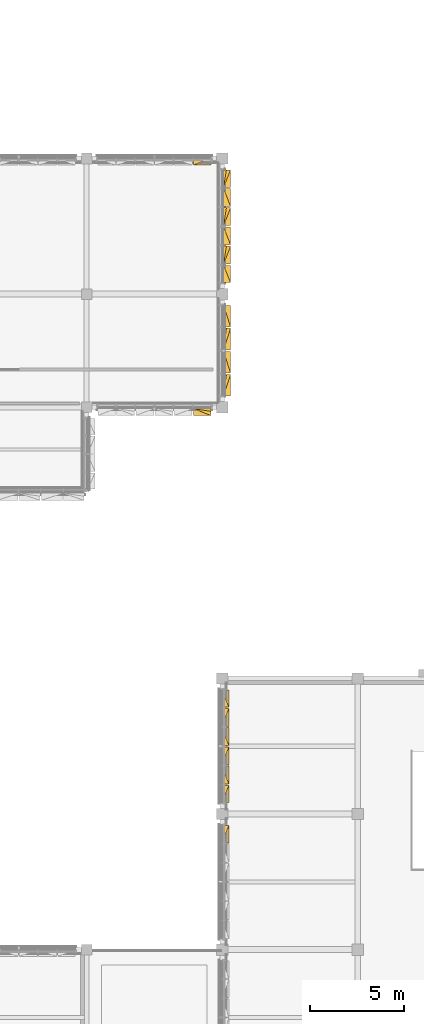
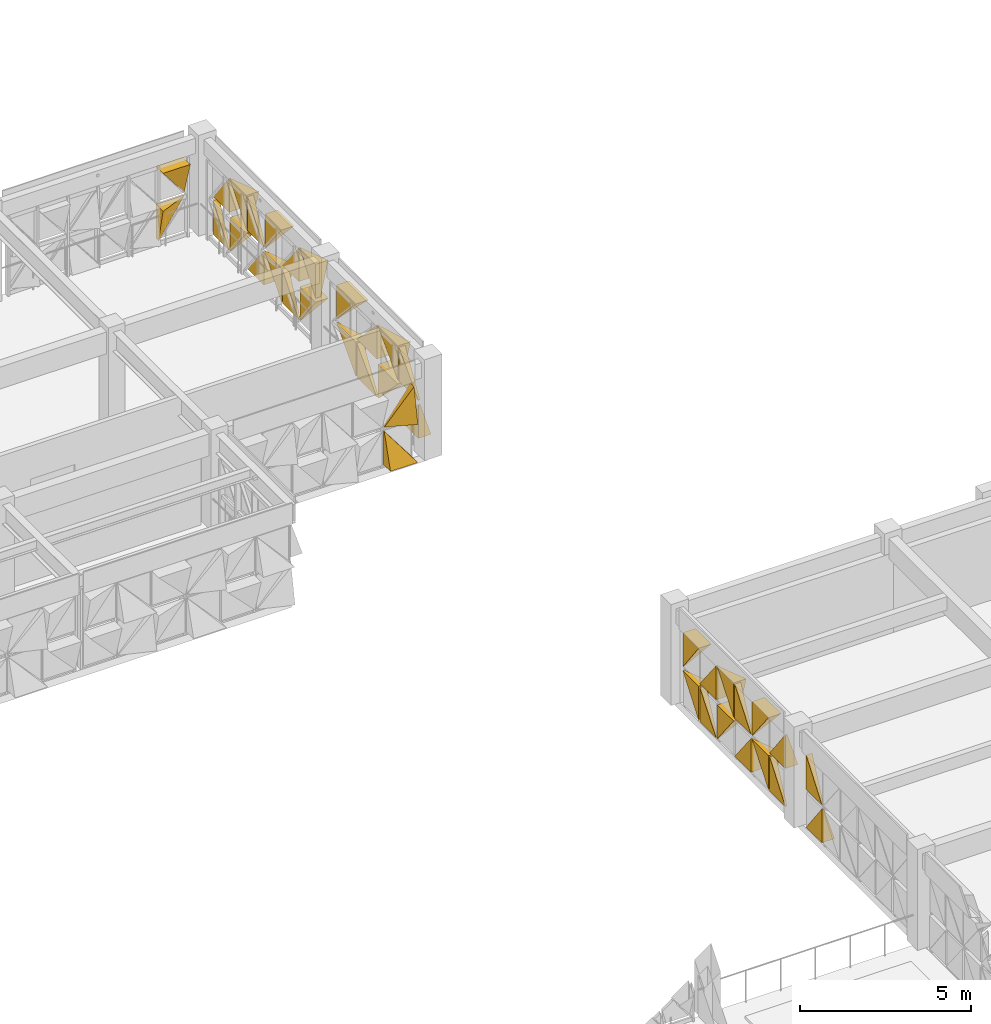
# One storey, part 85 of 85: 38 coverings.
"""IFC4 building model written with IfcOpenShell, lengths in metres."""

from ifc_helpers import new_model, si_unit, direction, frame, origin, place, context, subcontext, project, spatial, polygons, material, layer, layer_set, type_object, element, save


model = new_model("IFC4")

# Units and contexts
model_context = context("Model", 3, precision=1e-05, world=origin(), true_north=direction((0.0, 1.0)))
body_context = subcontext(model_context, "Body", "Model", "MODEL_VIEW")
ifc_project = project(units=[si_unit("LENGTHUNIT", "METRE"), si_unit("AREAUNIT", "SQUARE_METRE"), si_unit("VOLUMEUNIT", "CUBIC_METRE"), si_unit("PLANEANGLEUNIT", "RADIAN"), si_unit("MASSUNIT", "GRAM", prefix="KILO")], contexts=[model_context])

# Site, building, storey
site_placement = place(None, origin())
site = spatial("IfcSite", under=ifc_project, at=site_placement, CompositionType="ELEMENT")
building_placement = place(site_placement, origin())
building = spatial("IfcBuilding", under=site, at=building_placement, Name="Alvorim Cloister Faculty of Sciences", CompositionType="ELEMENT")
storey_placement = place(building_placement, frame((0.0, 0.0, 8.550048828125)))
storey = spatial("IfcBuildingStorey", under=building, at=storey_placement, Name="L02", CompositionType="ELEMENT", Elevation=8.550048828125)

# Coverings
ifc_material = material(Name="Perforated Bronze Alloy Sheet", Category="metal")
ifc_layer = layer(ifc_material, 0.0380859375)
ifc_layer_set = layer_set([ifc_layer], Name="Perforated Bronze Alloy Sheet")
covering_type = type_object("IfcCoveringType", Name="COV-TRI-BRZ", PredefinedType="CLADDING", material=ifc_layer_set)
covering_1_placement = place(storey_placement, frame((63.2724609375, 56.445068359375, 0.139892578125), z_axis=(0.0, 0.0, 1.0), x_axis=(1.0, 0.0, 0.0)))
element("IfcCovering", 1, at=covering_1_placement, inside=storey, type_object=covering_type, Name="Diagonal Solid Metal Triangle TRI-TL", PredefinedType="CLADDING", context=body_context, shape_type="Tessellation", body=[
    polygons([(0.920607421875, 0.0260009765625, 1.215087890625), (0.0, 0.0260009765625, 1.215087890625), (0.0, 0.0260009765625, 0.002), (0.920607421875, -0.03, 1.215087890625), (0.0, -0.4, 1.215087890625), (0.0, -0.13999999999999999, 0.002)], [[[1, 3, 2]], [[4, 5, 6]], [[1, 2, 5, 4]], [[2, 3, 6, 5]], [[3, 1, 4, 6]]], closed=True),
])
for number, where, z_axis, x_axis, name in (
    (2, (63.2724609375, 56.445068359375, 1.494873046875), (0.0, 0.0, 1.0), (1.0, 0.0, 0.0), "Diagonal Solid Metal Triangle TRI-TR"),
    (3, (64.844970703125, 49.804931640625, 0.139892578125), (0.0, 0.0, 1.0), (0.0, 1.0, 0.0), "Diagonal Solid Metal Triangle TRI-TR"),
):
    element("IfcCovering", number, at=place(storey_placement, frame(where, z_axis=z_axis, x_axis=x_axis)), inside=storey, type_object=covering_type, Name=name, PredefinedType="CLADDING", context=body_context, shape_type="Tessellation", body=[
        polygons([(0.922607421875, 0.0260009765625, 0.002), (0.922607421875, 0.0260009765625, 1.215087890625), (0.002, 0.0260009765625, 1.215087890625), (0.922607421875, -0.03, 0.002), (0.922607421875, -0.4, 1.215087890625), (0.002, -0.4, 1.215087890625)], [[[1, 3, 2]], [[4, 5, 6]], [[1, 2, 5, 4]], [[2, 3, 6, 5]], [[3, 1, 4, 6]]], closed=True),
    ])
covering_2_placement = place(storey_placement, frame((64.844970703125, 49.804931640625, 1.494873046875), z_axis=(0.0, 0.0, 1.0), x_axis=(0.0, 1.0, 0.0)))
element("IfcCovering", 4, at=covering_2_placement, inside=storey, type_object=covering_type, Name="Diagonal Solid Metal Triangle TRI-TL", PredefinedType="CLADDING", context=body_context, shape_type="Tessellation", body=[
    polygons([(0.920607421875, 0.0260009765625, 1.215087890625), (0.0, 0.0260009765625, 1.215087890625), (0.0, 0.0260009765625, 0.002), (0.920607421875, -0.03, 1.215087890625), (0.0, -0.4, 1.215087890625), (0.0, -0.13999999999999999, 0.002)], [[[1, 3, 2]], [[4, 5, 6]], [[1, 2, 5, 4]], [[2, 3, 6, 5]], [[3, 1, 4, 6]]], closed=True),
])
covering_3_placement = place(storey_placement, frame((64.844970703125, 50.79248046875, 0.139892578125), z_axis=(0.0, 0.0, 1.0), x_axis=(0.0, 1.0, 0.0)))
element("IfcCovering", 5, at=covering_3_placement, inside=storey, type_object=covering_type, Name="Diagonal Solid Metal Triangle TRI-BR", PredefinedType="CLADDING", context=body_context, shape_type="Tessellation", body=[
    polygons([(0.002, 0.0260009765625, 0.0), (0.955078125, 0.0260009765625, 0.0), (0.955078125, 0.0260009765625, 1.213087890625), (0.002, -0.03, 0.0), (0.955078125, -0.4, 0.0), (0.955078125, -0.18000000000000002, 1.213087890625)], [[[1, 3, 2]], [[4, 5, 6]], [[1, 2, 5, 4]], [[2, 3, 6, 5]], [[3, 1, 4, 6]]], closed=True),
])
covering_4_placement = place(storey_placement, frame((64.844970703125, 50.79248046875, 1.494873046875), z_axis=(0.0, 0.0, 1.0), x_axis=(0.0, 1.0, 0.0)))
element("IfcCovering", 6, at=covering_4_placement, inside=storey, type_object=covering_type, Name="Diagonal Solid Metal Triangle TRI-BL", PredefinedType="CLADDING", context=body_context, shape_type="Tessellation", body=[
    polygons([(0.0, 0.0260009765625, 0.0), (0.953078125, 0.0260009765625, 0.0), (0.0, 0.0260009765625, 1.213087890625), (0.0, -0.4, 0.0), (0.953078125, -0.4, 0.0), (0.0, -0.03, 1.213087890625)], [[[1, 3, 2]], [[4, 5, 6]], [[1, 2, 5, 4]], [[2, 3, 6, 5]], [[3, 1, 4, 6]]], closed=True),
])
covering_5_placement = place(storey_placement, frame((64.844970703125, 51.8125, 0.139892578125), z_axis=(0.0, 0.0, 1.0), x_axis=(0.0, 1.0, 0.0)))
element("IfcCovering", 7, at=covering_5_placement, inside=storey, type_object=covering_type, Name="Diagonal Solid Metal Triangle TRI-TL", PredefinedType="CLADDING", context=body_context, shape_type="Tessellation", body=[
    polygons([(0.953078125, 0.0260009765625, 1.215087890625), (0.0, 0.0260009765625, 1.215087890625), (0.0, 0.0260009765625, 0.002), (0.953078125, -0.03, 1.215087890625), (0.0, -0.4, 1.215087890625), (0.0, -0.13999999999999999, 0.002)], [[[1, 3, 2]], [[4, 5, 6]], [[1, 2, 5, 4]], [[2, 3, 6, 5]], [[3, 1, 4, 6]]], closed=True),
])
covering_6_placement = place(storey_placement, frame((64.844970703125, 51.8125, 1.494873046875), z_axis=(0.0, 0.0, 1.0), x_axis=(0.0, 1.0, 0.0)))
element("IfcCovering", 8, at=covering_6_placement, inside=storey, type_object=covering_type, Name="Diagonal Solid Metal Triangle TRI-TR", PredefinedType="CLADDING", context=body_context, shape_type="Tessellation", body=[
    polygons([(0.955078125, 0.0260009765625, 0.002), (0.955078125, 0.0260009765625, 1.215087890625), (0.002, 0.0260009765625, 1.215087890625), (0.955078125, -0.03, 0.002), (0.955078125, -0.4, 1.215087890625), (0.002, -0.4, 1.215087890625)], [[[1, 3, 2]], [[4, 5, 6]], [[1, 2, 5, 4]], [[2, 3, 6, 5]], [[3, 1, 4, 6]]], closed=True),
])
covering_7_placement = place(storey_placement, frame((64.844970703125, 52.83251953125, 0.139892578125), z_axis=(0.0, 0.0, 1.0), x_axis=(0.0, 1.0, 0.0)))
element("IfcCovering", 9, at=covering_7_placement, inside=storey, type_object=covering_type, Name="Diagonal Solid Metal Triangle TRI-BL", PredefinedType="CLADDING", context=body_context, shape_type="Tessellation", body=[
    polygons([(0.0, 0.0260009765625, 0.0), (0.953078125, 0.0260009765625, 0.0), (0.0, 0.0260009765625, 1.213087890625), (0.0, -0.4, 0.0), (0.953078125, -0.4, 0.0), (0.0, -0.03, 1.213087890625)], [[[1, 3, 2]], [[4, 5, 6]], [[1, 2, 5, 4]], [[2, 3, 6, 5]], [[3, 1, 4, 6]]], closed=True),
])
covering_8_placement = place(storey_placement, frame((64.844970703125, 52.83251953125, 1.494873046875), z_axis=(0.0, 0.0, 1.0), x_axis=(0.0, 1.0, 0.0)))
element("IfcCovering", 10, at=covering_8_placement, inside=storey, type_object=covering_type, Name="Diagonal Solid Metal Triangle TRI-BR", PredefinedType="CLADDING", context=body_context, shape_type="Tessellation", body=[
    polygons([(0.002, 0.0260009765625, 0.0), (0.955078125, 0.0260009765625, 0.0), (0.955078125, 0.0260009765625, 1.213087890625), (0.002, -0.03, 0.0), (0.955078125, -0.4, 0.0), (0.955078125, -0.18000000000000002, 1.213087890625)], [[[1, 3, 2]], [[4, 5, 6]], [[1, 2, 5, 4]], [[2, 3, 6, 5]], [[3, 1, 4, 6]]], closed=True),
])
covering_9_placement = place(storey_placement, frame((64.844970703125, 53.8525390625, 0.139892578125), z_axis=(0.0, 0.0, 1.0), x_axis=(0.0, 1.0, 0.0)))
element("IfcCovering", 11, at=covering_9_placement, inside=storey, type_object=covering_type, Name="Diagonal Solid Metal Triangle TRI-TR", PredefinedType="CLADDING", context=body_context, shape_type="Tessellation", body=[
    polygons([(0.955078125, 0.0260009765625, 0.002), (0.955078125, 0.0260009765625, 1.215087890625), (0.002, 0.0260009765625, 1.215087890625), (0.955078125, -0.03, 0.002), (0.955078125, -0.4, 1.215087890625), (0.002, -0.4, 1.215087890625)], [[[1, 3, 2]], [[4, 5, 6]], [[1, 2, 5, 4]], [[2, 3, 6, 5]], [[3, 1, 4, 6]]], closed=True),
])
covering_10_placement = place(storey_placement, frame((64.844970703125, 53.8525390625, 1.494873046875), z_axis=(0.0, 0.0, 1.0), x_axis=(0.0, 1.0, 0.0)))
element("IfcCovering", 12, at=covering_10_placement, inside=storey, type_object=covering_type, Name="Diagonal Solid Metal Triangle TRI-TL", PredefinedType="CLADDING", context=body_context, shape_type="Tessellation", body=[
    polygons([(0.953078125, 0.0260009765625, 1.215087890625), (0.0, 0.0260009765625, 1.215087890625), (0.0, 0.0260009765625, 0.002), (0.953078125, -0.03, 1.215087890625), (0.0, -0.4, 1.215087890625), (0.0, -0.13999999999999999, 0.002)], [[[1, 3, 2]], [[4, 5, 6]], [[1, 2, 5, 4]], [[2, 3, 6, 5]], [[3, 1, 4, 6]]], closed=True),
])
covering_11_placement = place(storey_placement, frame((64.844970703125, 54.87255859375, 0.139892578125), z_axis=(0.0, 0.0, 1.0), x_axis=(0.0, 1.0, 0.0)))
element("IfcCovering", 13, at=covering_11_placement, inside=storey, type_object=covering_type, Name="Diagonal Solid Metal Triangle TRI-BR", PredefinedType="CLADDING", context=body_context, shape_type="Tessellation", body=[
    polygons([(0.002, 0.0260009765625, 0.0), (0.922607421875, 0.0260009765625, 0.0), (0.922607421875, 0.0260009765625, 1.213087890625), (0.002, -0.03, 0.0), (0.922607421875, -0.4, 0.0), (0.922607421875, -0.18000000000000002, 1.213087890625)], [[[1, 3, 2]], [[4, 5, 6]], [[1, 2, 5, 4]], [[2, 3, 6, 5]], [[3, 1, 4, 6]]], closed=True),
])
covering_12_placement = place(storey_placement, frame((64.844970703125, 54.87255859375, 1.494873046875), z_axis=(0.0, 0.0, 1.0), x_axis=(0.0, 1.0, 0.0)))
element("IfcCovering", 14, at=covering_12_placement, inside=storey, type_object=covering_type, Name="Diagonal Solid Metal Triangle TRI-BL", PredefinedType="CLADDING", context=body_context, shape_type="Tessellation", body=[
    polygons([(0.0, 0.0260009765625, 0.0), (0.920607421875, 0.0260009765625, 0.0), (0.0, 0.0260009765625, 1.213087890625), (0.0, -0.4, 0.0), (0.920607421875, -0.4, 0.0), (0.0, -0.03, 1.213087890625)], [[[1, 3, 2]], [[4, 5, 6]], [[1, 2, 5, 4]], [[2, 3, 6, 5]], [[3, 1, 4, 6]]], closed=True),
])
covering_13_placement = place(storey_placement, frame((64.844970703125, 43.804931640625, 0.139892578125), z_axis=(0.0, 0.0, 1.0), x_axis=(0.0, 1.0, 0.0)))
element("IfcCovering", 15, at=covering_13_placement, inside=storey, type_object=covering_type, Name="Diagonal Solid Metal Triangle TRI-BL", PredefinedType="CLADDING", context=body_context, shape_type="Tessellation", body=[
    polygons([(0.0, 0.0260009765625, 0.0), (1.130568359375, 0.0260009765625, 0.0), (0.0, 0.0260009765625, 1.213087890625), (0.0, -0.4, 0.0), (1.130568359375, -0.4, 0.0), (0.0, -0.03, 1.213087890625)], [[[1, 3, 2]], [[4, 5, 6]], [[1, 2, 5, 4]], [[2, 3, 6, 5]], [[3, 1, 4, 6]]], closed=True),
])
covering_14_placement = place(storey_placement, frame((64.844970703125, 43.804931640625, 1.494873046875), z_axis=(0.0, 0.0, 1.0), x_axis=(0.0, 1.0, 0.0)))
element("IfcCovering", 16, at=covering_14_placement, inside=storey, type_object=covering_type, Name="Diagonal Solid Metal Triangle TRI-BR", PredefinedType="CLADDING", context=body_context, shape_type="Tessellation", body=[
    polygons([(0.002, 0.0260009765625, 0.0), (1.132568359375, 0.0260009765625, 0.0), (1.132568359375, 0.0260009765625, 1.213087890625), (0.002, -0.03, 0.0), (1.132568359375, -0.4, 0.0), (1.132568359375, -0.18000000000000002, 1.213087890625)], [[[1, 3, 2]], [[4, 5, 6]], [[1, 2, 5, 4]], [[2, 3, 6, 5]], [[3, 1, 4, 6]]], closed=True),
])
covering_15_placement = place(storey_placement, frame((64.844970703125, 45.00244140625, 0.139892578125), z_axis=(0.0, 0.0, 1.0), x_axis=(0.0, 1.0, 0.0)))
element("IfcCovering", 17, at=covering_15_placement, inside=storey, type_object=covering_type, Name="Diagonal Solid Metal Triangle TRI-TR", PredefinedType="CLADDING", context=body_context, shape_type="Tessellation", body=[
    polygons([(1.1650390625, 0.0260009765625, 0.002), (1.1650390625, 0.0260009765625, 1.215087890625), (0.002, 0.0260009765625, 1.215087890625), (1.1650390625, -0.03, 0.002), (1.1650390625, -0.4, 1.215087890625), (0.002, -0.4, 1.215087890625)], [[[1, 3, 2]], [[4, 5, 6]], [[1, 2, 5, 4]], [[2, 3, 6, 5]], [[3, 1, 4, 6]]], closed=True),
])
covering_16_placement = place(storey_placement, frame((64.844970703125, 45.00244140625, 1.494873046875), z_axis=(0.0, 0.0, 1.0), x_axis=(0.0, 1.0, 0.0)))
element("IfcCovering", 18, at=covering_16_placement, inside=storey, type_object=covering_type, Name="Diagonal Solid Metal Triangle TRI-TL", PredefinedType="CLADDING", context=body_context, shape_type="Tessellation", body=[
    polygons([(1.1630390625, 0.0260009765625, 1.215087890625), (0.0, 0.0260009765625, 1.215087890625), (0.0, 0.0260009765625, 0.002), (1.1630390625, -0.03, 1.215087890625), (0.0, -0.4, 1.215087890625), (0.0, -0.13999999999999999, 0.002)], [[[1, 3, 2]], [[4, 5, 6]], [[1, 2, 5, 4]], [[2, 3, 6, 5]], [[3, 1, 4, 6]]], closed=True),
])
covering_17_placement = place(storey_placement, frame((64.844970703125, 46.232421875, 0.139892578125), z_axis=(0.0, 0.0, 1.0), x_axis=(0.0, 1.0, 0.0)))
element("IfcCovering", 19, at=covering_17_placement, inside=storey, type_object=covering_type, Name="Diagonal Solid Metal Triangle TRI-BR", PredefinedType="CLADDING", context=body_context, shape_type="Tessellation", body=[
    polygons([(0.002, 0.0260009765625, 0.0), (1.1650390625, 0.0260009765625, 0.0), (1.1650390625, 0.0260009765625, 1.213087890625), (0.002, -0.03, 0.0), (1.1650390625, -0.4, 0.0), (1.1650390625, -0.18000000000000002, 1.213087890625)], [[[1, 3, 2]], [[4, 5, 6]], [[1, 2, 5, 4]], [[2, 3, 6, 5]], [[3, 1, 4, 6]]], closed=True),
])
covering_18_placement = place(storey_placement, frame((64.844970703125, 46.232421875, 1.494873046875), z_axis=(0.0, 0.0, 1.0), x_axis=(0.0, 1.0, 0.0)))
element("IfcCovering", 20, at=covering_18_placement, inside=storey, type_object=covering_type, Name="Diagonal Solid Metal Triangle TRI-BL", PredefinedType="CLADDING", context=body_context, shape_type="Tessellation", body=[
    polygons([(0.0, 0.0260009765625, 0.0), (1.1630390625, 0.0260009765625, 0.0), (0.0, 0.0260009765625, 1.213087890625), (0.0, -0.4, 0.0), (1.1630390625, -0.4, 0.0), (0.0, -0.03, 1.213087890625)], [[[1, 3, 2]], [[4, 5, 6]], [[1, 2, 5, 4]], [[2, 3, 6, 5]], [[3, 1, 4, 6]]], closed=True),
])
covering_19_placement = place(storey_placement, frame((64.844970703125, 47.46240234375, 0.139892578125), z_axis=(0.0, 0.0, 1.0), x_axis=(0.0, 1.0, 0.0)))
element("IfcCovering", 21, at=covering_19_placement, inside=storey, type_object=covering_type, Name="Diagonal Solid Metal Triangle TRI-TL", PredefinedType="CLADDING", context=body_context, shape_type="Tessellation", body=[
    polygons([(1.130568359375, 0.0260009765625, 1.215087890625), (0.0, 0.0260009765625, 1.215087890625), (0.0, 0.0260009765625, 0.002), (1.130568359375, -0.03, 1.215087890625), (0.0, -0.4, 1.215087890625), (0.0, -0.13999999999999999, 0.002)], [[[1, 3, 2]], [[4, 5, 6]], [[1, 2, 5, 4]], [[2, 3, 6, 5]], [[3, 1, 4, 6]]], closed=True),
])
covering_20_placement = place(storey_placement, frame((64.844970703125, 47.46240234375, 1.494873046875), z_axis=(0.0, 0.0, 1.0), x_axis=(0.0, 1.0, 0.0)))
element("IfcCovering", 22, at=covering_20_placement, inside=storey, type_object=covering_type, Name="Diagonal Solid Metal Triangle TRI-TR", PredefinedType="CLADDING", context=body_context, shape_type="Tessellation", body=[
    polygons([(1.132568359375, 0.0260009765625, 0.002), (1.132568359375, 0.0260009765625, 1.215087890625), (0.002, 0.0260009765625, 1.215087890625), (1.132568359375, -0.03, 0.002), (1.132568359375, -0.4, 1.215087890625), (0.002, -0.4, 1.215087890625)], [[[1, 3, 2]], [[4, 5, 6]], [[1, 2, 5, 4]], [[2, 3, 6, 5]], [[3, 1, 4, 6]]], closed=True),
])
covering_21_placement = place(storey_placement, frame((63.2724609375, 43.155029296875, 0.139892578125), z_axis=(0.0, 0.0, 1.0), x_axis=(1.0, 0.0, 0.0)))
element("IfcCovering", 23, at=covering_21_placement, inside=storey, type_object=covering_type, Name="Diagonal Solid Metal Triangle TRI-BL", PredefinedType="CLADDING", context=body_context, shape_type="Tessellation", body=[
    polygons([(0.0, 0.0260009765625, 0.0), (0.920607421875, 0.0260009765625, 0.0), (0.0, 0.0260009765625, 1.213087890625), (0.0, -0.4, 0.0), (0.920607421875, -0.4, 0.0), (0.0, -0.03, 1.213087890625)], [[[1, 3, 2]], [[4, 5, 6]], [[1, 2, 5, 4]], [[2, 3, 6, 5]], [[3, 1, 4, 6]]], closed=True),
])
covering_22_placement = place(storey_placement, frame((63.2724609375, 43.155029296875, 1.494873046875), z_axis=(0.0, 0.0, 1.0), x_axis=(1.0, 0.0, 0.0)))
element("IfcCovering", 24, at=covering_22_placement, inside=storey, type_object=covering_type, Name="Diagonal Solid Metal Triangle TRI-BR", PredefinedType="CLADDING", context=body_context, shape_type="Tessellation", body=[
    polygons([(0.002, 0.0260009765625, 0.0), (0.922607421875, 0.0260009765625, 0.0), (0.922607421875, 0.0260009765625, 1.213087890625), (0.002, -0.03, 0.0), (0.922607421875, -0.4, 0.0), (0.922607421875, -0.18000000000000002, 1.213087890625)], [[[1, 3, 2]], [[4, 5, 6]], [[1, 2, 5, 4]], [[2, 3, 6, 5]], [[3, 1, 4, 6]]], closed=True),
])
covering_23_placement = place(storey_placement, frame((64.7548828125, 20.072509765625, 0.139892578125), z_axis=(0.0, 0.0, 1.0), x_axis=(0.0, 1.0, 0.0)))
element("IfcCovering", 25, at=covering_23_placement, inside=storey, type_object=covering_type, Name="Diagonal Solid Metal Triangle TRI-BL", PredefinedType="CLADDING", context=body_context, shape_type="Tessellation", body=[
    polygons([(0.0, 0.0260009765625, 0.0), (0.920607421875, 0.0260009765625, 0.0), (0.0, 0.0260009765625, 1.213087890625), (0.0, -0.4, 0.0), (0.920607421875, -0.4, 0.0), (0.0, -0.03, 1.213087890625)], [[[1, 3, 2]], [[4, 5, 6]], [[1, 2, 5, 4]], [[2, 3, 6, 5]], [[3, 1, 4, 6]]], closed=True),
])
for number, where, z_axis, x_axis, name in (
    (26, (64.7548828125, 20.072509765625, 1.494873046875), (0.0, 0.0, 1.0), (0.0, 1.0, 0.0), "Diagonal Solid Metal Triangle TRI-BR"),
    (27, (64.7548828125, 22.205078125, 0.139892578125), (0.0, 0.0, 1.0), (0.0, 1.0, 0.0), "Diagonal Solid Metal Triangle TRI-BR"),
):
    element("IfcCovering", number, at=place(storey_placement, frame(where, z_axis=z_axis, x_axis=x_axis)), inside=storey, type_object=covering_type, Name=name, PredefinedType="CLADDING", context=body_context, shape_type="Tessellation", body=[
        polygons([(0.002, 0.0260009765625, 0.0), (0.922607421875, 0.0260009765625, 0.0), (0.922607421875, 0.0260009765625, 1.213087890625), (0.002, -0.03, 0.0), (0.922607421875, -0.4, 0.0), (0.922607421875, -0.18000000000000002, 1.213087890625)], [[[1, 3, 2]], [[4, 5, 6]], [[1, 2, 5, 4]], [[2, 3, 6, 5]], [[3, 1, 4, 6]]], closed=True),
    ])
covering_24_placement = place(storey_placement, frame((64.7548828125, 22.205078125, 1.494873046875), z_axis=(0.0, 0.0, 1.0), x_axis=(0.0, 1.0, 0.0)))
element("IfcCovering", 28, at=covering_24_placement, inside=storey, type_object=covering_type, Name="Diagonal Solid Metal Triangle TRI-BL", PredefinedType="CLADDING", context=body_context, shape_type="Tessellation", body=[
    polygons([(0.0, 0.0260009765625, 0.0), (0.920607421875, 0.0260009765625, 0.0), (0.0, 0.0260009765625, 1.213087890625), (0.0, -0.4, 0.0), (0.920607421875, -0.4, 0.0), (0.0, -0.03, 1.213087890625)], [[[1, 3, 2]], [[4, 5, 6]], [[1, 2, 5, 4]], [[2, 3, 6, 5]], [[3, 1, 4, 6]]], closed=True),
])
covering_25_placement = place(storey_placement, frame((64.7548828125, 23.1923828125, 0.139892578125), z_axis=(0.0, 0.0, 1.0), x_axis=(0.0, 1.0, 0.0)))
element("IfcCovering", 29, at=covering_25_placement, inside=storey, type_object=covering_type, Name="Diagonal Solid Metal Triangle TRI-TL", PredefinedType="CLADDING", context=body_context, shape_type="Tessellation", body=[
    polygons([(0.953078125, 0.0260009765625, 1.215087890625), (0.0, 0.0260009765625, 1.215087890625), (0.0, 0.0260009765625, 0.002), (0.953078125, -0.03, 1.215087890625), (0.0, -0.4, 1.215087890625), (0.0, -0.13999999999999999, 0.002)], [[[1, 3, 2]], [[4, 5, 6]], [[1, 2, 5, 4]], [[2, 3, 6, 5]], [[3, 1, 4, 6]]], closed=True),
])
covering_26_placement = place(storey_placement, frame((64.7548828125, 23.1923828125, 1.494873046875), z_axis=(0.0, 0.0, 1.0), x_axis=(0.0, 1.0, 0.0)))
element("IfcCovering", 30, at=covering_26_placement, inside=storey, type_object=covering_type, Name="Diagonal Solid Metal Triangle TRI-TR", PredefinedType="CLADDING", context=body_context, shape_type="Tessellation", body=[
    polygons([(0.955078125, 0.0260009765625, 0.002), (0.955078125, 0.0260009765625, 1.215087890625), (0.002, 0.0260009765625, 1.215087890625), (0.955078125, -0.03, 0.002), (0.955078125, -0.4, 1.215087890625), (0.002, -0.4, 1.215087890625)], [[[1, 3, 2]], [[4, 5, 6]], [[1, 2, 5, 4]], [[2, 3, 6, 5]], [[3, 1, 4, 6]]], closed=True),
])
covering_27_placement = place(storey_placement, frame((64.7548828125, 24.21240234375, 0.139892578125), z_axis=(0.0, 0.0, 1.0), x_axis=(0.0, 1.0, 0.0)))
element("IfcCovering", 31, at=covering_27_placement, inside=storey, type_object=covering_type, Name="Diagonal Solid Metal Triangle TRI-BL", PredefinedType="CLADDING", context=body_context, shape_type="Tessellation", body=[
    polygons([(0.0, 0.0260009765625, 0.0), (0.953078125, 0.0260009765625, 0.0), (0.0, 0.0260009765625, 1.213087890625), (0.0, -0.4, 0.0), (0.953078125, -0.4, 0.0), (0.0, -0.03, 1.213087890625)], [[[1, 3, 2]], [[4, 5, 6]], [[1, 2, 5, 4]], [[2, 3, 6, 5]], [[3, 1, 4, 6]]], closed=True),
])
covering_28_placement = place(storey_placement, frame((64.7548828125, 24.21240234375, 1.494873046875), z_axis=(0.0, 0.0, 1.0), x_axis=(0.0, 1.0, 0.0)))
element("IfcCovering", 32, at=covering_28_placement, inside=storey, type_object=covering_type, Name="Diagonal Solid Metal Triangle TRI-BR", PredefinedType="CLADDING", context=body_context, shape_type="Tessellation", body=[
    polygons([(0.002, 0.0260009765625, 0.0), (0.955078125, 0.0260009765625, 0.0), (0.955078125, 0.0260009765625, 1.213087890625), (0.002, -0.03, 0.0), (0.955078125, -0.4, 0.0), (0.955078125, -0.18000000000000002, 1.213087890625)], [[[1, 3, 2]], [[4, 5, 6]], [[1, 2, 5, 4]], [[2, 3, 6, 5]], [[3, 1, 4, 6]]], closed=True),
])
covering_29_placement = place(storey_placement, frame((64.7548828125, 25.232421875, 0.139892578125), z_axis=(0.0, 0.0, 1.0), x_axis=(0.0, 1.0, 0.0)))
element("IfcCovering", 33, at=covering_29_placement, inside=storey, type_object=covering_type, Name="Diagonal Solid Metal Triangle TRI-TR", PredefinedType="CLADDING", context=body_context, shape_type="Tessellation", body=[
    polygons([(0.955078125, 0.0260009765625, 0.002), (0.955078125, 0.0260009765625, 1.215087890625), (0.002, 0.0260009765625, 1.215087890625), (0.955078125, -0.03, 0.002), (0.955078125, -0.4, 1.215087890625), (0.002, -0.4, 1.215087890625)], [[[1, 3, 2]], [[4, 5, 6]], [[1, 2, 5, 4]], [[2, 3, 6, 5]], [[3, 1, 4, 6]]], closed=True),
])
covering_30_placement = place(storey_placement, frame((64.7548828125, 25.232421875, 1.494873046875), z_axis=(0.0, 0.0, 1.0), x_axis=(0.0, 1.0, 0.0)))
element("IfcCovering", 34, at=covering_30_placement, inside=storey, type_object=covering_type, Name="Diagonal Solid Metal Triangle TRI-TL", PredefinedType="CLADDING", context=body_context, shape_type="Tessellation", body=[
    polygons([(0.953078125, 0.0260009765625, 1.215087890625), (0.0, 0.0260009765625, 1.215087890625), (0.0, 0.0260009765625, 0.002), (0.953078125, -0.03, 1.215087890625), (0.0, -0.4, 1.215087890625), (0.0, -0.13999999999999999, 0.002)], [[[1, 3, 2]], [[4, 5, 6]], [[1, 2, 5, 4]], [[2, 3, 6, 5]], [[3, 1, 4, 6]]], closed=True),
])
covering_31_placement = place(storey_placement, frame((64.7548828125, 26.25244140625, 0.139892578125), z_axis=(0.0, 0.0, 1.0), x_axis=(0.0, 1.0, 0.0)))
element("IfcCovering", 35, at=covering_31_placement, inside=storey, type_object=covering_type, Name="Diagonal Solid Metal Triangle TRI-BR", PredefinedType="CLADDING", context=body_context, shape_type="Tessellation", body=[
    polygons([(0.002, 0.0260009765625, 0.0), (0.955078125, 0.0260009765625, 0.0), (0.955078125, 0.0260009765625, 1.213087890625), (0.002, -0.03, 0.0), (0.955078125, -0.4, 0.0), (0.955078125, -0.18000000000000002, 1.213087890625)], [[[1, 3, 2]], [[4, 5, 6]], [[1, 2, 5, 4]], [[2, 3, 6, 5]], [[3, 1, 4, 6]]], closed=True),
])
covering_32_placement = place(storey_placement, frame((64.7548828125, 26.25244140625, 1.494873046875), z_axis=(0.0, 0.0, 1.0), x_axis=(0.0, 1.0, 0.0)))
element("IfcCovering", 36, at=covering_32_placement, inside=storey, type_object=covering_type, Name="Diagonal Solid Metal Triangle TRI-BL", PredefinedType="CLADDING", context=body_context, shape_type="Tessellation", body=[
    polygons([(0.0, 0.0260009765625, 0.0), (0.953078125, 0.0260009765625, 0.0), (0.0, 0.0260009765625, 1.213087890625), (0.0, -0.4, 0.0), (0.953078125, -0.4, 0.0), (0.0, -0.03, 1.213087890625)], [[[1, 3, 2]], [[4, 5, 6]], [[1, 2, 5, 4]], [[2, 3, 6, 5]], [[3, 1, 4, 6]]], closed=True),
])
covering_33_placement = place(storey_placement, frame((64.7548828125, 27.2724609375, 0.139892578125), z_axis=(0.0, 0.0, 1.0), x_axis=(0.0, 1.0, 0.0)))
element("IfcCovering", 37, at=covering_33_placement, inside=storey, type_object=covering_type, Name="Diagonal Solid Metal Triangle TRI-TL", PredefinedType="CLADDING", context=body_context, shape_type="Tessellation", body=[
    polygons([(0.920607421875, 0.0260009765625, 1.215087890625), (0.0, 0.0260009765625, 1.215087890625), (0.0, 0.0260009765625, 0.002), (0.920607421875, -0.03, 1.215087890625), (0.0, -0.4, 1.215087890625), (0.0, -0.13999999999999999, 0.002)], [[[1, 3, 2]], [[4, 5, 6]], [[1, 2, 5, 4]], [[2, 3, 6, 5]], [[3, 1, 4, 6]]], closed=True),
])
covering_34_placement = place(storey_placement, frame((64.7548828125, 27.2724609375, 1.494873046875), z_axis=(0.0, 0.0, 1.0), x_axis=(0.0, 1.0, 0.0)))
element("IfcCovering", 38, at=covering_34_placement, inside=storey, type_object=covering_type, Name="Diagonal Solid Metal Triangle TRI-TR", PredefinedType="CLADDING", context=body_context, shape_type="Tessellation", body=[
    polygons([(0.922607421875, 0.0260009765625, 0.002), (0.922607421875, 0.0260009765625, 1.215087890625), (0.002, 0.0260009765625, 1.215087890625), (0.922607421875, -0.03, 0.002), (0.922607421875, -0.4, 1.215087890625), (0.002, -0.4, 1.215087890625)], [[[1, 3, 2]], [[4, 5, 6]], [[1, 2, 5, 4]], [[2, 3, 6, 5]], [[3, 1, 4, 6]]], closed=True),
])

save(model, "model.ifc")
